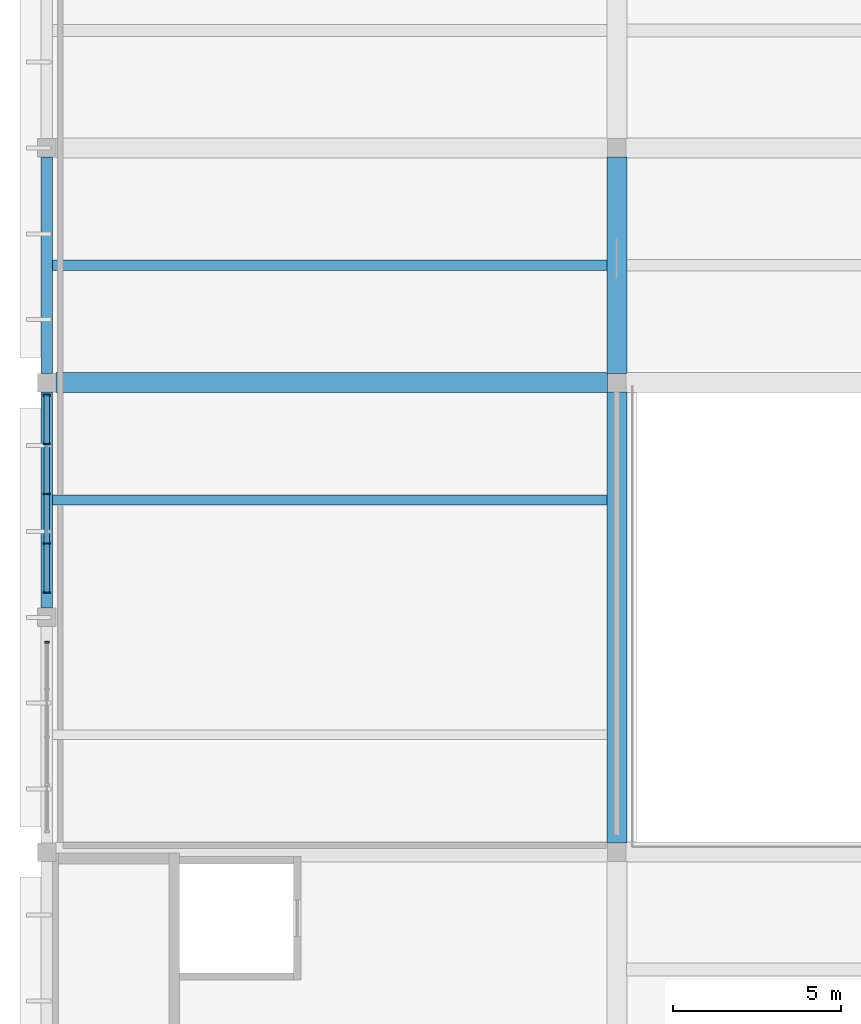
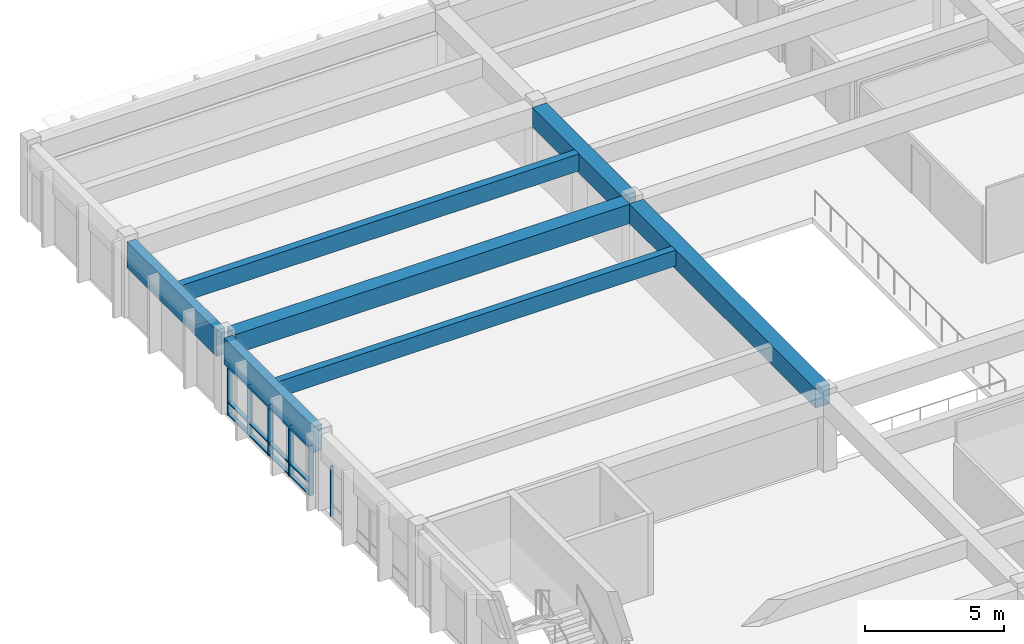
# One storey, part 8 of 23: 18 members, 7 beams, 2 elements without a shape of their own.
"""IFC4 building model written with IfcOpenShell, lengths in metres."""

from ifc_helpers import new_model, si_unit, direction, frame, origin, origin_2d, place, context, subcontext, project, spatial, rectangle, extrude, material, material_profile, profile_set, type_object, element, aggregate, save


model = new_model("IFC4")

# Units and contexts
model_context = context("Model", 3, precision=1e-05, world=origin(), true_north=direction((0.0, 1.0)))
body_context = subcontext(model_context, "Body", "Model", "MODEL_VIEW")
ifc_project = project(units=[si_unit("LENGTHUNIT", "METRE"), si_unit("AREAUNIT", "SQUARE_METRE"), si_unit("VOLUMEUNIT", "CUBIC_METRE"), si_unit("PLANEANGLEUNIT", "RADIAN"), si_unit("MASSUNIT", "GRAM", prefix="KILO")], contexts=[model_context])

# Site, building, storey
site_placement = place(None, origin())
site = spatial("IfcSite", under=ifc_project, at=site_placement, CompositionType="ELEMENT")
building_placement = place(site_placement, origin())
building = spatial("IfcBuilding", under=site, at=building_placement, Name="Larkveld Mobility Hub", CompositionType="ELEMENT")
storey_placement = place(building_placement, frame((0.0, 0.0, 19.199951171875)))
storey = spatial("IfcBuildingStorey", under=building, at=storey_placement, Name="L05", CompositionType="ELEMENT", Elevation=19.199951171875)

# Beams
ifc_material_1 = material(Name="Precast concrete C50/60", Category="concrete")
ifc_material_profile_1 = material_profile(ifc_material_1, rectangle(XDim=0.300048828125, YDim=0.699951171875, at=origin_2d()), Name="PC DT 300x700")
ifc_profile_set_1 = profile_set([ifc_material_profile_1], Name="Precast concrete C50/60")
beam_type_1 = type_object("IfcBeamType", Name="BM-DT3070", PredefinedType="T_BEAM", material=ifc_profile_set_1)
beam_1_placement = place(storey_placement, frame((112.169921875, 66.5, 3.02001953125), z_axis=(1.0, 0.0, 0.0), x_axis=(0.0, 1.0, 0.0)))
element("IfcBeam", 1, at=beam_1_placement, inside=storey, type_object=beam_type_1, Name="Precast Double-Tee Stem L05-1153", PredefinedType="T_BEAM", context=body_context, shape_type="SweptSolid", body=[
    extrude(rectangle(XDim=0.300048828125, YDim=0.699951171875, at=origin_2d()), origin(), (0.0, 0.0, 1.0), 16.53515625),
])
ifc_material_profile_2 = material_profile(ifc_material_1, rectangle(XDim=0.320068359375, YDim=0.75, at=origin_2d()), Name="PC DT 320x750")
ifc_profile_set_2 = profile_set([ifc_material_profile_2], Name="Precast concrete C50/60")
beam_type_2 = type_object("IfcBeamType", Name="BM-DT3275", PredefinedType="T_BEAM", material=ifc_profile_set_2)
beam_2_placement = place(storey_placement, frame((112.169921875, 73.5, 2.9951171875), z_axis=(1.0, 0.0, 0.0), x_axis=(0.0, 1.0, 0.0)))
element("IfcBeam", 2, at=beam_2_placement, inside=storey, type_object=beam_type_2, Name="Precast Double-Tee Stem L05-1154", PredefinedType="T_BEAM", context=body_context, shape_type="SweptSolid", body=[
    extrude(rectangle(XDim=0.320068359375, YDim=0.75, at=origin_2d()), origin(), (0.0, 0.0, 1.0), 16.53515625),
])
ifc_material_profile_3 = material_profile(ifc_material_1, rectangle(XDim=0.60009765625, YDim=0.85009765625, at=origin_2d()), Name="PC ITB 600x850")
ifc_profile_set_3 = profile_set([ifc_material_profile_3], Name="Precast concrete C50/60")
beam_type_3 = type_object("IfcBeamType", Name="BM-ITB6085", PredefinedType="T_BEAM", material=ifc_profile_set_3)
beam_3_placement = place(storey_placement, frame((112.27490234375, 70.0, 2.93505859375), z_axis=(1.0, 0.0, 0.0), x_axis=(0.0, 1.0, 0.0)))
element("IfcBeam", 3, at=beam_3_placement, inside=storey, type_object=beam_type_3, Name="Primary E-W Girder L05-0953", PredefinedType="T_BEAM", context=body_context, shape_type="SweptSolid", body=[
    extrude(rectangle(XDim=0.60009765625, YDim=0.85009765625, at=origin_2d()), origin(), (0.0, 0.0, 1.0), 16.4501953125),
])
beam_4_placement = place(storey_placement, frame((129.0, 56.27490234375, 2.93505859375), z_axis=(0.0, 1.0, 0.0), x_axis=(-1.0, 0.0, 0.0)))
element("IfcBeam", 4, at=beam_4_placement, inside=storey, type_object=beam_type_3, Name="Primary N-S Girder L05-0972", PredefinedType="T_BEAM", context=body_context, shape_type="SweptSolid", body=[
    extrude(rectangle(XDim=0.60009765625, YDim=0.85009765625, at=origin_2d()), origin(), (0.0, 0.0, 1.0), 13.4501953125),
])
beam_5_placement = place(storey_placement, frame((129.0, 70.27490234375, 2.93505859375), z_axis=(0.0, 1.0, 0.0), x_axis=(-1.0, 0.0, 0.0)))
element("IfcBeam", 5, at=beam_5_placement, inside=storey, type_object=beam_type_3, Name="Primary N-S Girder L05-0973", PredefinedType="T_BEAM", context=body_context, shape_type="SweptSolid", body=[
    extrude(rectangle(XDim=0.60009765625, YDim=0.85009765625, at=origin_2d()), origin(), (0.0, 0.0, 1.0), 6.4501953125),
])
ifc_material_profile_4 = material_profile(ifc_material_1, rectangle(XDim=0.35009765625, YDim=1.14990234375, at=origin_2d()), Name="PC SP 350x1150")
ifc_profile_set_4 = profile_set([ifc_material_profile_4], Name="Precast concrete C50/60")
beam_type_4 = type_object("IfcBeamType", Name="BM-SP35115", PredefinedType="SPANDREL", material=ifc_profile_set_4)
for number, where, z_axis, x_axis, name in (
    (6, (112.0, 63.27490234375, 2.78515625), (0.0, 1.0, 0.0), (-1.0, 0.0, 0.0), "Primary N-S Girder L05-0967"),
    (7, (112.0, 70.27490234375, 2.78515625), (0.0, 1.0, 0.0), (-1.0, 0.0, 0.0), "Primary N-S Girder L05-0968"),
):
    element("IfcBeam", number, at=place(storey_placement, frame(where, z_axis=z_axis, x_axis=x_axis)), inside=storey, type_object=beam_type_4, Name=name, PredefinedType="SPANDREL", context=body_context, shape_type="SweptSolid", body=[
        extrude(rectangle(XDim=0.35009765625, YDim=1.14990234375, at=origin_2d()), origin(), (0.0, 0.0, 1.0), 6.4501953125),
    ])

# Curtain wall, members
ifc_material_2 = material(Name="Anodised aluminium 6063-T6", Category="aluminium")
curtain_wall_type_1 = type_object("IfcCurtainWallType", Name="CW-SYS-07", PredefinedType="NOTDEFINED", material=ifc_material_2)
curtain_wall_1_placement = place(storey_placement, origin())
curtain_wall_1 = element("IfcCurtainWall", 8, at=curtain_wall_1_placement, inside=storey, type_object=curtain_wall_type_1, Name="EV Wing West Glazing L05 CW-163", PredefinedType="NOTDEFINED")
ifc_material_profile_5 = material_profile(ifc_material_2, rectangle(XDim=0.050048828125, YDim=0.2099609375, at=origin_2d()), Name="ALU MULL 50x210")
ifc_profile_set_5 = profile_set([ifc_material_profile_5], Name="Anodised aluminium 6063-T6")
member_type_1 = type_object("IfcMemberType", Name="CW-MUL-03", PredefinedType="MULLION", material=ifc_profile_set_5)
member_1_placement = place(storey_placement, frame((112.0, 69.625, -0.001953125), z_axis=(0.0, 0.0, 1.0), x_axis=(0.0, -1.0, 0.0)))
member_1 = element("IfcMember", 9, at=member_1_placement, type_object=member_type_1, Name="CW07 mullion 1", PredefinedType="MULLION", context=body_context, shape_type="SweptSolid", body=[
    extrude(rectangle(XDim=0.050048828125, YDim=0.2099609375, at=origin_2d()), origin(), (0.0, 0.0, 1.0), 2.2119140625),
])
member_2_placement = place(storey_placement, frame((112.0, 68.166015625, -0.001953125), z_axis=(0.0, 0.0, 1.0), x_axis=(0.0, -1.0, 0.0)))
member_2 = element("IfcMember", 10, at=member_2_placement, type_object=member_type_1, Name="CW07 mullion 2", PredefinedType="MULLION", context=body_context, shape_type="SweptSolid", body=[
    extrude(rectangle(XDim=0.050048828125, YDim=0.2099609375, at=origin_2d()), origin(), (0.0, 0.0, 1.0), 2.2119140625),
])
member_3_placement = place(storey_placement, frame((112.0, 66.68310546875, -0.001953125), z_axis=(0.0, 0.0, 1.0), x_axis=(0.0, -1.0, 0.0)))
member_3 = element("IfcMember", 11, at=member_3_placement, type_object=member_type_1, Name="CW07 mullion 3", PredefinedType="MULLION", context=body_context, shape_type="SweptSolid", body=[
    extrude(rectangle(XDim=0.050048828125, YDim=0.2099609375, at=origin_2d()), origin(), (0.0, 0.0, 1.0), 2.2119140625),
])
member_4_placement = place(storey_placement, frame((112.0, 65.198974609375, -0.001953125), z_axis=(0.0, 0.0, 1.0), x_axis=(0.0, -1.0, 0.0)))
member_4 = element("IfcMember", 12, at=member_4_placement, type_object=member_type_1, Name="CW07 mullion 4", PredefinedType="MULLION", context=body_context, shape_type="SweptSolid", body=[
    extrude(rectangle(XDim=0.050048828125, YDim=0.2099609375, at=origin_2d()), origin(), (0.0, 0.0, 1.0), 2.2119140625),
])
member_5_placement = place(storey_placement, frame((112.0, 63.739990234375, -0.001953125), z_axis=(0.0, 0.0, 1.0), x_axis=(0.0, -1.0, 0.0)))
member_5 = element("IfcMember", 13, at=member_5_placement, type_object=member_type_1, Name="CW07 mullion 5", PredefinedType="MULLION", context=body_context, shape_type="SweptSolid", body=[
    extrude(rectangle(XDim=0.050048828125, YDim=0.2099609375, at=origin_2d()), origin(), (0.0, 0.0, 1.0), 2.2119140625),
])

# Curtain wall, member
curtain_wall_type_2 = type_object("IfcCurtainWallType", Name="CW-SYS-08", PredefinedType="NOTDEFINED", material=ifc_material_2)
curtain_wall_2_placement = place(storey_placement, origin())
curtain_wall_2 = element("IfcCurtainWall", 14, at=curtain_wall_2_placement, inside=storey, type_object=curtain_wall_type_2, Name="EV Wing West Glazing L05 CW-164", PredefinedType="NOTDEFINED")
ifc_material_profile_6 = material_profile(ifc_material_2, rectangle(XDim=0.050048828125, YDim=0.1298828125, at=origin_2d()), Name="ALU MULL 50x130")
ifc_profile_set_6 = profile_set([ifc_material_profile_6], Name="Anodised aluminium 6063-T6")
member_type_2 = type_object("IfcMemberType", Name="CW-MUL-04", PredefinedType="MULLION", material=ifc_profile_set_6)
member_6_placement = place(storey_placement, frame((112.0, 62.260009765625, -0.001953125), z_axis=(0.0, 0.0, 1.0), x_axis=(0.0, -1.0, 0.0)))
member_6 = element("IfcMember", 15, at=member_6_placement, type_object=member_type_2, Name="CW08 mullion 1", PredefinedType="MULLION", context=body_context, shape_type="SweptSolid", body=[
    extrude(rectangle(XDim=0.050048828125, YDim=0.1298828125, at=origin_2d()), origin(), (0.0, 0.0, 1.0), 2.2119140625),
])
aggregate(curtain_wall_2, [member_6])

# Member
ifc_material_profile_7 = material_profile(ifc_material_2, rectangle(XDim=0.169921875, YDim=0.050048828125, at=origin_2d()), Name="ALU TRAN 50x170")
ifc_profile_set_7 = profile_set([ifc_material_profile_7], Name="Anodised aluminium 6063-T6")
member_type_3 = type_object("IfcMemberType", Name="CW-TRN-03", PredefinedType="USERDEFINED", material=ifc_profile_set_7)
member_7_placement = place(storey_placement, frame((112.0, 69.614990234375, 0.030029296875), z_axis=(0.0, -1.0, 0.0), x_axis=(1.0, 0.0, 0.0)))
member_7 = element("IfcMember", 16, at=member_7_placement, type_object=member_type_3, Name="CW07 transom 1.1", ObjectType="TRANSOM", PredefinedType="USERDEFINED", context=body_context, shape_type="SweptSolid", body=[
    extrude(rectangle(XDim=0.169921875, YDim=0.050048828125, at=origin_2d()), origin(), (0.0, 0.0, 1.0), 1.43408203125),
])

member_8_placement = place(storey_placement, frame((112.0, 69.614990234375, 0.552001953125), z_axis=(0.0, -1.0, 0.0), x_axis=(1.0, 0.0, 0.0)))
member_8 = element("IfcMember", 17, at=member_8_placement, type_object=member_type_3, Name="CW07 transom 1.2", ObjectType="TRANSOM", PredefinedType="USERDEFINED", context=body_context, shape_type="SweptSolid", body=[
    extrude(rectangle(XDim=0.169921875, YDim=0.050048828125, at=origin_2d()), origin(), (0.0, 0.0, 1.0), 1.43408203125),
])

member_9_placement = place(storey_placement, frame((112.0, 69.614990234375, 2.177978515625), z_axis=(0.0, -1.0, 0.0), x_axis=(1.0, 0.0, 0.0)))
member_9 = element("IfcMember", 18, at=member_9_placement, type_object=member_type_3, Name="CW07 transom 1.3", ObjectType="TRANSOM", PredefinedType="USERDEFINED", context=body_context, shape_type="SweptSolid", body=[
    extrude(rectangle(XDim=0.169921875, YDim=0.050048828125, at=origin_2d()), origin(), (0.0, 0.0, 1.0), 1.43408203125),
])

member_10_placement = place(storey_placement, frame((112.0, 68.15087890625, 0.030029296875), z_axis=(0.0, -1.0, 0.0), x_axis=(1.0, 0.0, 0.0)))
member_10 = element("IfcMember", 19, at=member_10_placement, type_object=member_type_3, Name="CW07 transom 2.1", ObjectType="TRANSOM", PredefinedType="USERDEFINED", context=body_context, shape_type="SweptSolid", body=[
    extrude(rectangle(XDim=0.169921875, YDim=0.050048828125, at=origin_2d()), origin(), (0.0, 0.0, 1.0), 1.452880859375),
])

member_11_placement = place(storey_placement, frame((112.0, 68.15087890625, 0.552001953125), z_axis=(0.0, -1.0, 0.0), x_axis=(1.0, 0.0, 0.0)))
member_11 = element("IfcMember", 20, at=member_11_placement, type_object=member_type_3, Name="CW07 transom 2.2", ObjectType="TRANSOM", PredefinedType="USERDEFINED", context=body_context, shape_type="SweptSolid", body=[
    extrude(rectangle(XDim=0.169921875, YDim=0.050048828125, at=origin_2d()), origin(), (0.0, 0.0, 1.0), 1.452880859375),
])

member_12_placement = place(storey_placement, frame((112.0, 68.15087890625, 2.177978515625), z_axis=(0.0, -1.0, 0.0), x_axis=(1.0, 0.0, 0.0)))
member_12 = element("IfcMember", 21, at=member_12_placement, type_object=member_type_3, Name="CW07 transom 2.3", ObjectType="TRANSOM", PredefinedType="USERDEFINED", context=body_context, shape_type="SweptSolid", body=[
    extrude(rectangle(XDim=0.169921875, YDim=0.050048828125, at=origin_2d()), origin(), (0.0, 0.0, 1.0), 1.452880859375),
])

member_13_placement = place(storey_placement, frame((112.0, 66.66796875, 0.030029296875), z_axis=(0.0, -1.0, 0.0), x_axis=(1.0, 0.0, 0.0)))
member_13 = element("IfcMember", 22, at=member_13_placement, type_object=member_type_3, Name="CW07 transom 3.1", ObjectType="TRANSOM", PredefinedType="USERDEFINED", context=body_context, shape_type="SweptSolid", body=[
    extrude(rectangle(XDim=0.169921875, YDim=0.050048828125, at=origin_2d()), origin(), (0.0, 0.0, 1.0), 1.453857421875),
])

member_14_placement = place(storey_placement, frame((112.0, 66.66796875, 0.552001953125), z_axis=(0.0, -1.0, 0.0), x_axis=(1.0, 0.0, 0.0)))
member_14 = element("IfcMember", 23, at=member_14_placement, type_object=member_type_3, Name="CW07 transom 3.2", ObjectType="TRANSOM", PredefinedType="USERDEFINED", context=body_context, shape_type="SweptSolid", body=[
    extrude(rectangle(XDim=0.169921875, YDim=0.050048828125, at=origin_2d()), origin(), (0.0, 0.0, 1.0), 1.453857421875),
])

member_15_placement = place(storey_placement, frame((112.0, 66.66796875, 2.177978515625), z_axis=(0.0, -1.0, 0.0), x_axis=(1.0, 0.0, 0.0)))
member_15 = element("IfcMember", 24, at=member_15_placement, type_object=member_type_3, Name="CW07 transom 3.3", ObjectType="TRANSOM", PredefinedType="USERDEFINED", context=body_context, shape_type="SweptSolid", body=[
    extrude(rectangle(XDim=0.169921875, YDim=0.050048828125, at=origin_2d()), origin(), (0.0, 0.0, 1.0), 1.453857421875),
])

member_16_placement = place(storey_placement, frame((112.0, 65.18408203125, 0.030029296875), z_axis=(0.0, -1.0, 0.0), x_axis=(1.0, 0.0, 0.0)))
member_16 = element("IfcMember", 25, at=member_16_placement, type_object=member_type_3, Name="CW07 transom 4.1", ObjectType="TRANSOM", PredefinedType="USERDEFINED", context=body_context, shape_type="SweptSolid", body=[
    extrude(rectangle(XDim=0.169921875, YDim=0.050048828125, at=origin_2d()), origin(), (0.0, 0.0, 1.0), 1.43408203125),
])

member_17_placement = place(storey_placement, frame((112.0, 65.18408203125, 0.552001953125), z_axis=(0.0, -1.0, 0.0), x_axis=(1.0, 0.0, 0.0)))
member_17 = element("IfcMember", 26, at=member_17_placement, type_object=member_type_3, Name="CW07 transom 4.2", ObjectType="TRANSOM", PredefinedType="USERDEFINED", context=body_context, shape_type="SweptSolid", body=[
    extrude(rectangle(XDim=0.169921875, YDim=0.050048828125, at=origin_2d()), origin(), (0.0, 0.0, 1.0), 1.43408203125),
])

member_18_placement = place(storey_placement, frame((112.0, 65.18408203125, 2.177978515625), z_axis=(0.0, -1.0, 0.0), x_axis=(1.0, 0.0, 0.0)))
member_18 = element("IfcMember", 27, at=member_18_placement, type_object=member_type_3, Name="CW07 transom 4.3", ObjectType="TRANSOM", PredefinedType="USERDEFINED", context=body_context, shape_type="SweptSolid", body=[
    extrude(rectangle(XDim=0.169921875, YDim=0.050048828125, at=origin_2d()), origin(), (0.0, 0.0, 1.0), 1.43408203125),
])

aggregate(curtain_wall_1, [member_1, member_2, member_3, member_4, member_5, member_7, member_8, member_9, member_10, member_11, member_12, member_13, member_14, member_15, member_16, member_17, member_18])

save(model, "model.ifc")
